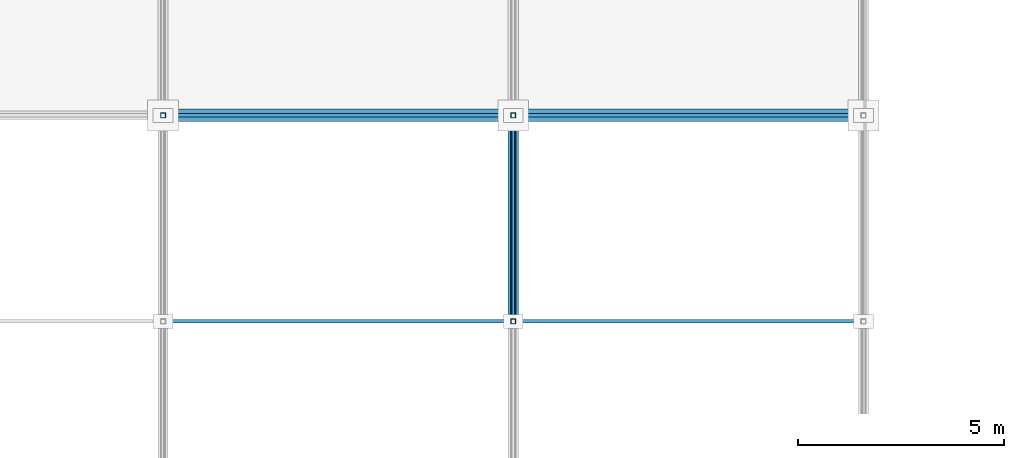
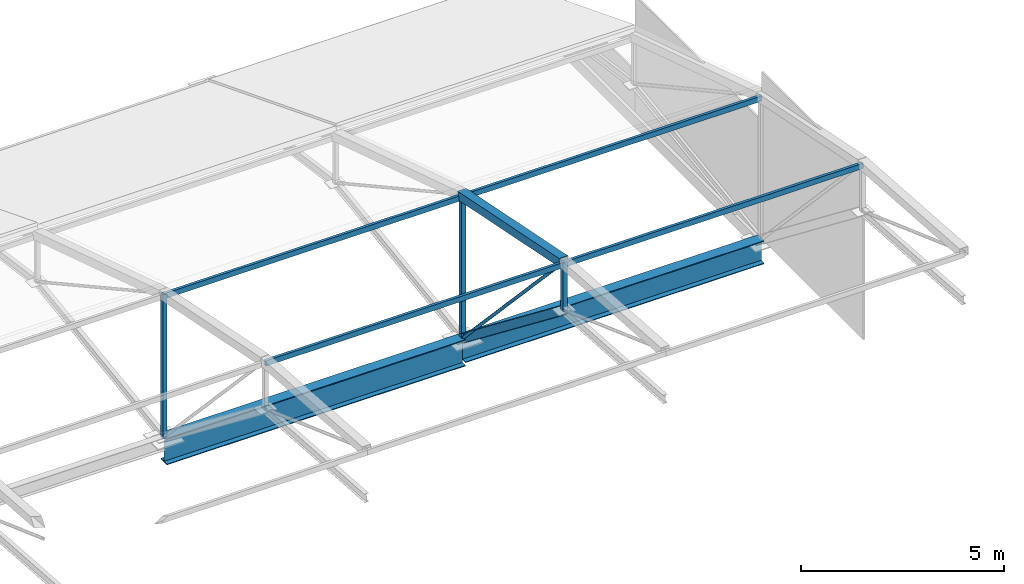
# One storey, part 34 of 66: 10 members, 2 beams.
"""IFC4 building model written with IfcOpenShell, lengths in metres."""

from ifc_helpers import new_model, si_unit, direction, frame, origin, origin_2d, place, context, subcontext, project, spatial, hollow_rectangle, hollow_circle, i_section, extrude, material, material_profile, profile_set, type_object, element, save


model = new_model("IFC4")

# Units and contexts
model_context = context("Model", 3, precision=1e-05, world=origin(), true_north=direction((0.0, 1.0)))
body_context = subcontext(model_context, "Body", "Model", "MODEL_VIEW")
ifc_project = project(units=[si_unit("LENGTHUNIT", "METRE"), si_unit("AREAUNIT", "SQUARE_METRE"), si_unit("VOLUMEUNIT", "CUBIC_METRE"), si_unit("PLANEANGLEUNIT", "RADIAN"), si_unit("MASSUNIT", "GRAM", prefix="KILO")], contexts=[model_context])

# Site, building, storey
site_placement = place(None, origin())
site = spatial("IfcSite", under=ifc_project, at=site_placement, CompositionType="ELEMENT")
building_placement = place(site_placement, origin())
building = spatial("IfcBuilding", under=site, at=building_placement, Name="Solvikara Media Centre", CompositionType="ELEMENT")
storey_placement = place(building_placement, frame((0.0, 0.0, 19.800048828125)))
storey = spatial("IfcBuildingStorey", under=building, at=storey_placement, Name="L04", CompositionType="ELEMENT", Elevation=19.800048828125)

# Beams
ifc_material = material(Name="Steel S355JR", Category="steel")
ifc_material_profile_1 = material_profile(ifc_material, i_section(OverallWidth=0.300048828125, OverallDepth=0.800048828125, WebThickness=0.013916015625, FlangeThickness=0.02587890625, at=origin_2d()), Name="WF 800x300x14x26")
ifc_profile_set_1 = profile_set([ifc_material_profile_1], Name="Steel S355JR")
beam_type_1 = type_object("IfcBeamType", Name="BM-16", PredefinedType="BEAM", material=ifc_profile_set_1)
beam_1_placement = place(storey_placement, frame((17.0, 101.5, -0.5), z_axis=(1.0, 0.0, 0.0), x_axis=(0.0, 1.0, 0.0)))
element("IfcBeam", 1, at=beam_1_placement, inside=storey, type_object=beam_type_1, Name="B-L04-X1485", PredefinedType="BEAM", context=body_context, shape_type="SweptSolid", body=[
    extrude(i_section(OverallWidth=0.300048828125, OverallDepth=0.800048828125, WebThickness=0.013916015625, FlangeThickness=0.02587890625, at=origin_2d()), origin(), (0.0, 0.0, 1.0), 8.5),
])
ifc_material_profile_2 = material_profile(ifc_material, i_section(OverallWidth=0.300048828125, OverallDepth=0.699951171875, WebThickness=0.012939453125, FlangeThickness=0.02392578125, at=origin_2d()), Name="WF 700x300x13x24")
ifc_profile_set_2 = profile_set([ifc_material_profile_2], Name="Steel S355JR")
beam_type_2 = type_object("IfcBeamType", Name="BM-17", PredefinedType="BEAM", material=ifc_profile_set_2)
beam_2_placement = place(storey_placement, frame((25.5, 101.5, -0.449951171875), z_axis=(1.0, 0.0, 0.0), x_axis=(0.0, 1.0, 0.0)))
element("IfcBeam", 2, at=beam_2_placement, inside=storey, type_object=beam_type_2, Name="B-L04-X1486", PredefinedType="BEAM", context=body_context, shape_type="SweptSolid", body=[
    extrude(i_section(OverallWidth=0.300048828125, OverallDepth=0.699951171875, WebThickness=0.012939453125, FlangeThickness=0.02392578125, at=origin_2d()), origin(), (0.0, 0.0, 1.0), 8.5),
])

# Members
ifc_material_profile_3 = material_profile(ifc_material, hollow_circle(Radius=0.04443359375, WallThickness=0.0048828125, at=origin_2d()), Name="CHS 88.9x5")
ifc_profile_set_3 = profile_set([ifc_material_profile_3], Name="Steel S355JR")
member_type_1 = type_object("IfcMemberType", Name="MB-10", PredefinedType="BRACE", material=ifc_profile_set_3)
member_1_placement = place(storey_placement, frame((25.5, 101.5, -0.150146484375), z_axis=(0.0, -0.68381339208, 0.729656936383), x_axis=(1.0, 0.0, 0.0)))
element("IfcMember", 3, at=member_1_placement, inside=storey, type_object=member_type_1, Name="AM-DG-03-02", PredefinedType="BRACE", context=body_context, shape_type="SweptSolid", body=[
    extrude(hollow_circle(Radius=0.04443359375, WallThickness=0.0048828125, at=origin_2d()), origin(), (0.0, 0.0, 1.0), 7.31201171875),
])
ifc_material_profile_4 = material_profile(ifc_material, hollow_rectangle(XDim=0.25, YDim=0.25, WallThickness=0.010009765625, at=origin_2d()), Name="RHS 250x250x10")
ifc_profile_set_4 = profile_set([ifc_material_profile_4], Name="Steel S355JR")
member_type_2 = type_object("IfcMemberType", Name="MB-12", PredefinedType="CHORD", material=ifc_profile_set_4)
member_2_placement = place(storey_placement, frame((25.5, 101.5, 4.177978515625), z_axis=(0.0, -0.980312817606, 0.197450701788), x_axis=(1.0, 0.0, 0.0)))
element("IfcMember", 4, at=member_2_placement, inside=storey, type_object=member_type_2, Name="AM-TC-03-02", PredefinedType="CHORD", context=body_context, shape_type="SweptSolid", body=[
    extrude(hollow_rectangle(XDim=0.25, YDim=0.25, WallThickness=0.010009765625, at=origin_2d()), origin(), (0.0, 0.0, 1.0), 5.100341796875),
])
ifc_material_profile_5 = material_profile(ifc_material, hollow_rectangle(XDim=0.080078125, YDim=0.159912109375, WallThickness=0.0048828125, at=origin_2d()), Name="RHS 160x80x5")
ifc_profile_set_5 = profile_set([ifc_material_profile_5], Name="Steel S355JR")
member_type_3 = type_object("IfcMemberType", Name="MB-19", PredefinedType="PURLIN", material=ifc_profile_set_5)
for number, where, z_axis, x_axis, name in (
    (5, (17.0, 101.5, 4.113037109375), (1.0, 0.0, 0.0), (0.0, 1.0, 0.0), "AM-PRL-02-02"),
    (6, (17.0, 96.5, 5.119873046875), (1.0, 0.0, 0.0), (0.0, 1.0, 0.0), "AM-PRL-02-03"),
    (7, (25.5, 101.5, 4.113037109375), (1.0, 0.0, 0.0), (0.0, 1.0, 0.0), "AM-PRL-03-02"),
    (8, (25.5, 96.5, 5.119873046875), (1.0, 0.0, 0.0), (0.0, 1.0, 0.0), "AM-PRL-03-03"),
):
    element("IfcMember", number, at=place(storey_placement, frame(where, z_axis=z_axis, x_axis=x_axis)), inside=storey, type_object=member_type_3, Name=name, PredefinedType="PURLIN", context=body_context, shape_type="SweptSolid", body=[
        extrude(hollow_rectangle(XDim=0.080078125, YDim=0.159912109375, WallThickness=0.0048828125, at=origin_2d()), origin(), (0.0, 0.0, 1.0), 8.5),
    ])
ifc_material_profile_6 = material_profile(ifc_material, i_section(OverallWidth=0.1240234375, OverallDepth=0.248046875, WebThickness=0.0048828125, FlangeThickness=0.008056640625, at=origin_2d()), Name="WF 248x124x5x8")
ifc_profile_set_6 = profile_set([ifc_material_profile_6], Name="Steel S355JR")
member_type_4 = type_object("IfcMemberType", Name="MB-23", PredefinedType="STRINGER", material=ifc_profile_set_6)
member_3_placement = place(storey_placement, frame((25.5, 101.5, -0.150146484375), z_axis=(0.0, -0.789649014603, 0.61355882663), x_axis=(1.0, 0.0, 0.0)))
element("IfcMember", 9, at=member_3_placement, inside=storey, type_object=member_type_4, Name="AM-BC-03-02", PredefinedType="STRINGER", context=body_context, shape_type="SweptSolid", body=[
    extrude(i_section(OverallWidth=0.1240234375, OverallDepth=0.248046875, WebThickness=0.0048828125, FlangeThickness=0.008056640625, at=origin_2d()), origin(), (0.0, 0.0, 1.0), 6.33203125),
])
ifc_material_profile_7 = material_profile(ifc_material, hollow_rectangle(XDim=0.1201171875, YDim=0.1201171875, WallThickness=0.006103515625, at=origin_2d()), Name="RHS 120x120x6")
ifc_profile_set_7 = profile_set([ifc_material_profile_7], Name="Steel S355JR")
member_type_5 = type_object("IfcMemberType", Name="MB-24", PredefinedType="POST", material=ifc_profile_set_7)
for number, where, z_axis, x_axis, name in (
    (10, (17.0, 101.5, -0.150146484375), (0.0, 0.0, 1.0), (1.0, 0.0, 0.0), "AM-VT-02-02"),
    (11, (25.5, 101.5, -0.150146484375), (0.0, 0.0, 1.0), (1.0, 0.0, 0.0), "AM-VT-03-02"),
):
    element("IfcMember", number, at=place(storey_placement, frame(where, z_axis=z_axis, x_axis=x_axis)), inside=storey, type_object=member_type_5, Name=name, PredefinedType="POST", context=body_context, shape_type="SweptSolid", body=[
        extrude(hollow_rectangle(XDim=0.1201171875, YDim=0.1201171875, WallThickness=0.006103515625, at=origin_2d()), origin(), (0.0, 0.0, 1.0), 4.328125),
    ])
member_4_placement = place(storey_placement, frame((25.5, 96.5, 3.73486328125), z_axis=(0.0, 0.0, 1.0), x_axis=(1.0, 0.0, 0.0)))
element("IfcMember", 12, at=member_4_placement, inside=storey, type_object=member_type_5, Name="AM-VT-03-03", PredefinedType="POST", context=body_context, shape_type="SweptSolid", body=[
    extrude(hollow_rectangle(XDim=0.1201171875, YDim=0.1201171875, WallThickness=0.006103515625, at=origin_2d()), origin(), (0.0, 0.0, 1.0), 1.4501953125),
])

save(model, "model.ifc")
